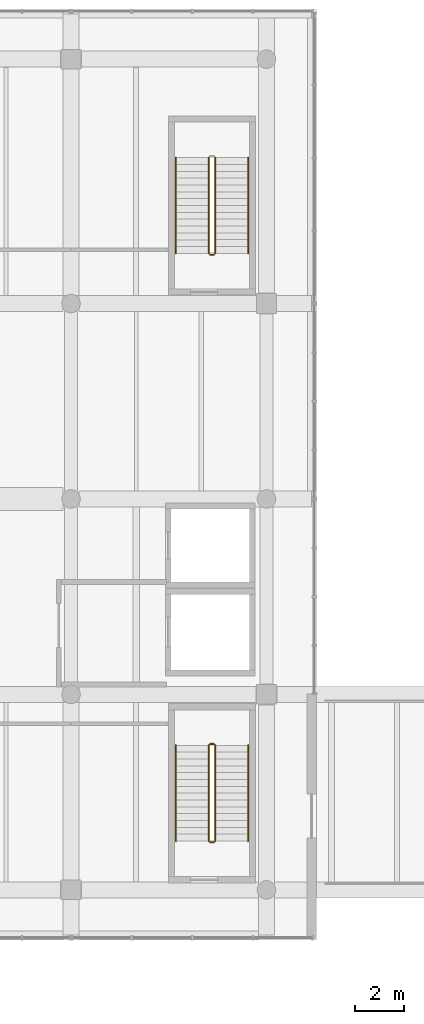
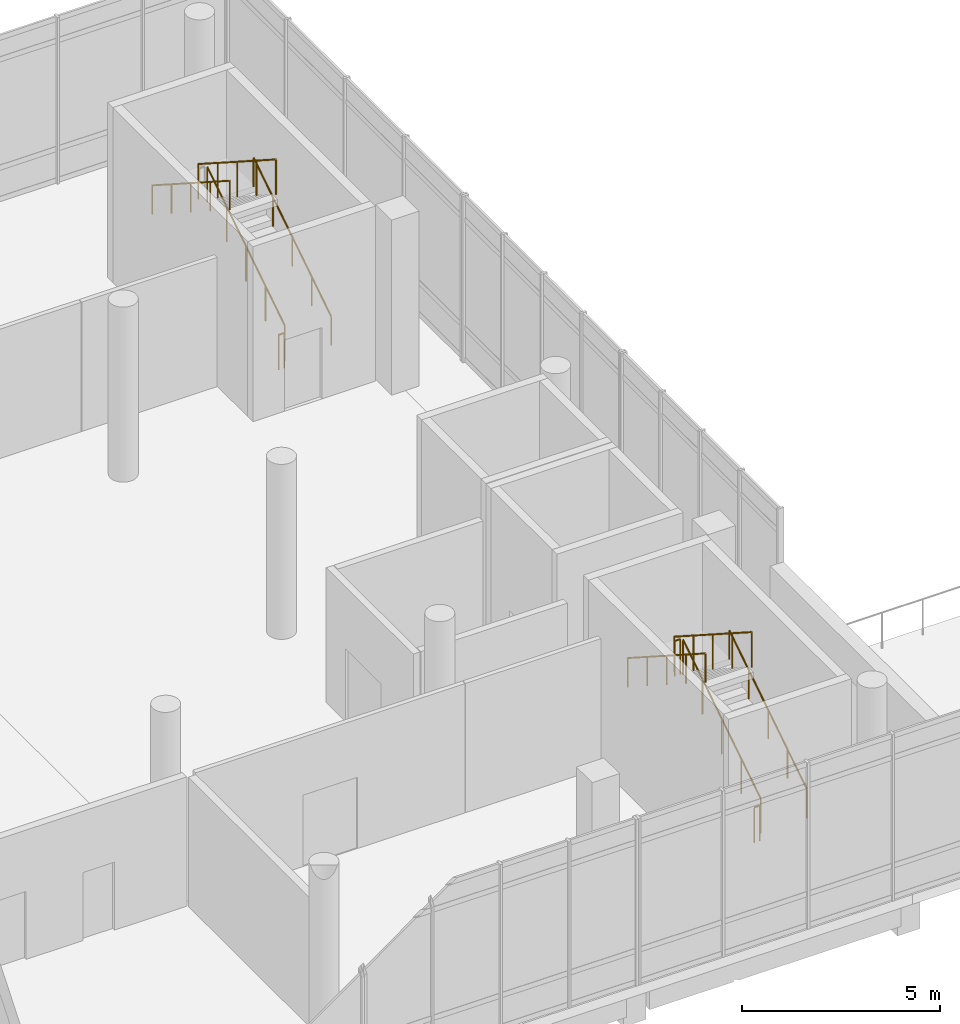
# One storey, part 18 of 20: 11 railings.
"""IFC4 building model written with IfcOpenShell, lengths in metres."""

from ifc_helpers import new_model, si_unit, direction, frame, origin, origin_2d, place, context, subcontext, project, spatial, circle, extrude, material, type_object, element, save


model = new_model("IFC4")

# Units and contexts
model_context = context("Model", 3, precision=1e-05, world=origin(), true_north=direction((0.0, 1.0)))
body_context = subcontext(model_context, "Body", "Model", "MODEL_VIEW")
ifc_project = project(units=[si_unit("LENGTHUNIT", "METRE"), si_unit("AREAUNIT", "SQUARE_METRE"), si_unit("VOLUMEUNIT", "CUBIC_METRE"), si_unit("PLANEANGLEUNIT", "RADIAN"), si_unit("MASSUNIT", "GRAM", prefix="KILO")], contexts=[model_context])

# Site, building, storey
site_placement = place(None, origin())
site = spatial("IfcSite", under=ifc_project, at=site_placement, CompositionType="ELEMENT")
building_placement = place(site_placement, origin())
building = spatial("IfcBuilding", under=site, at=building_placement, Name="Pecanmere Concourse Central Library", CompositionType="ELEMENT")
storey_placement = place(building_placement, frame((0.0, 0.0, 24.89990234375)))
storey = spatial("IfcBuildingStorey", under=building, at=storey_placement, Name="L06", CompositionType="ELEMENT", Elevation=24.89990234375)

# Railings
ifc_material_1 = material(Name="Painted architectural steel ASTM A36", Category="steel")
railing_type_1 = type_object("IfcRailingType", Name="RAIL_STAIR_GUARD", PredefinedType="GUARDRAIL", material=ifc_material_1)
railing_1_placement = place(storey_placement, frame((101.89990234375, 92.0, 0.18017578125)))
element("IfcRailing", 1, at=railing_1_placement, inside=storey, type_object=railing_type_1, Name="L06 ST-02 Guard 1", PredefinedType="GUARDRAIL", context=body_context, shape_type="SweptSolid", body=[
    extrude(circle(Radius=0.02392578125, at=origin_2d()), frame((0.0, 0.0, 1.076171875), z_axis=(0.0, 0.841171666519, 0.540768182723), x_axis=(-1.0, 0.0, 0.0)), (0.0, 0.0, 1.0), 4.66015625),
    extrude(circle(Radius=0.02099609375, at=origin_2d()), origin(), (0.0, 0.0, 1.0), 1.052001953125),
    extrude(circle(Radius=0.02099609375, at=origin_2d()), frame((0.0, 0.97998046875, 0.6298828125)), (0.0, 0.0, 1.0), 1.052001953125),
    extrude(circle(Radius=0.02099609375, at=origin_2d()), frame((0.0, 1.9599609375, 1.260009765625)), (0.0, 0.0, 1.0), 1.052001953125),
    extrude(circle(Radius=0.02099609375, at=origin_2d()), frame((0.0, 2.93994140625, 1.89013671875)), (0.0, 0.0, 1.0), 1.052001953125),
    extrude(circle(Radius=0.02099609375, at=origin_2d()), frame((0.0, 3.919921875, 2.52001953125)), (0.0, 0.0, 1.0), 1.052001953125),
])
railing_2_placement = place(storey_placement, frame((101.85009765625, 95.969970703125, 2.7001953125)))
element("IfcRailing", 2, at=railing_2_placement, inside=storey, type_object=railing_type_1, Name="L06 ST-02 Guard 2", PredefinedType="GUARDRAIL", context=body_context, shape_type="SweptSolid", body=[
    extrude(circle(Radius=0.02392578125, at=origin_2d()), frame((0.0, 0.0, 1.076171875), z_axis=(-1.0, 0.0, 0.0), x_axis=(0.0, -1.0, 0.0)), (0.0, 0.0, 1.0), 0.16015625),
    extrude(circle(Radius=0.02099609375, at=origin_2d()), origin(), (0.0, 0.0, 1.0), 1.052001953125),
    extrude(circle(Radius=0.02099609375, at=origin_2d()), frame((-0.16015625, 0.0, 0.0)), (0.0, 0.0, 1.0), 1.052001953125),
])
railing_3_placement = place(storey_placement, frame((101.639892578125, 95.919921875, 2.880126953125)))
element("IfcRailing", 3, at=railing_3_placement, inside=storey, type_object=railing_type_1, Name="L06 ST-02 Guard 3", PredefinedType="GUARDRAIL", context=body_context, shape_type="SweptSolid", body=[
    extrude(circle(Radius=0.02392578125, at=origin_2d()), frame((0.0, 0.0, 1.076171875), z_axis=(0.0, -0.841171666519, 0.540768182723), x_axis=(1.0, 0.0, 0.0)), (0.0, 0.0, 1.0), 4.66015625),
    extrude(circle(Radius=0.02099609375, at=origin_2d()), origin(), (0.0, 0.0, 1.0), 1.052001953125),
    extrude(circle(Radius=0.02099609375, at=origin_2d()), frame((0.0, -0.97998046875, 0.6298828125)), (0.0, 0.0, 1.0), 1.052001953125),
    extrude(circle(Radius=0.02099609375, at=origin_2d()), frame((0.0, -1.9599609375, 1.260009765625)), (0.0, 0.0, 1.0), 1.052001953125),
    extrude(circle(Radius=0.02099609375, at=origin_2d()), frame((0.0, -2.93994140625, 1.89013671875)), (0.0, 0.0, 1.0), 1.052001953125),
    extrude(circle(Radius=0.02099609375, at=origin_2d()), frame((0.0, -3.919921875, 2.52001953125)), (0.0, 0.0, 1.0), 1.052001953125),
])
railing_4_placement = place(storey_placement, frame((101.85009765625, 91.949951171875, 0.0)))
element("IfcRailing", 4, at=railing_4_placement, inside=storey, type_object=railing_type_1, Name="L06 ST-02 Guard 4", PredefinedType="GUARDRAIL", context=body_context, shape_type="SweptSolid", body=[
    extrude(circle(Radius=0.02392578125, at=origin_2d()), frame((0.0, 0.0, 1.076171875), z_axis=(-1.0, 0.0, 0.0), x_axis=(0.0, -1.0, 0.0)), (0.0, 0.0, 1.0), 0.16015625),
    extrude(circle(Radius=0.02099609375, at=origin_2d()), origin(), (0.0, 0.0, 1.0), 1.052001953125),
    extrude(circle(Radius=0.02099609375, at=origin_2d()), frame((-0.16015625, 0.0, 0.0)), (0.0, 0.0, 1.0), 1.052001953125),
])
railing_5_placement = place(storey_placement, frame((101.89990234375, 116.050048828125, 0.18017578125)))
element("IfcRailing", 5, at=railing_5_placement, inside=storey, type_object=railing_type_1, Name="L06 ST-04 Guard 1", PredefinedType="GUARDRAIL", context=body_context, shape_type="SweptSolid", body=[
    extrude(circle(Radius=0.02392578125, at=origin_2d()), frame((0.0, 0.0, 1.076171875), z_axis=(0.0, 0.841171666519, 0.540768182723), x_axis=(-1.0, 0.0, 0.0)), (0.0, 0.0, 1.0), 4.66015625),
    extrude(circle(Radius=0.02099609375, at=origin_2d()), origin(), (0.0, 0.0, 1.0), 1.052001953125),
    extrude(circle(Radius=0.02099609375, at=origin_2d()), frame((0.0, 0.97998046875, 0.6298828125)), (0.0, 0.0, 1.0), 1.052001953125),
    extrude(circle(Radius=0.02099609375, at=origin_2d()), frame((0.0, 1.9599609375, 1.260009765625)), (0.0, 0.0, 1.0), 1.052001953125),
    extrude(circle(Radius=0.02099609375, at=origin_2d()), frame((0.0, 2.93994140625, 1.89013671875)), (0.0, 0.0, 1.0), 1.052001953125),
    extrude(circle(Radius=0.02099609375, at=origin_2d()), frame((0.0, 3.919921875, 2.52001953125)), (0.0, 0.0, 1.0), 1.052001953125),
])
railing_6_placement = place(storey_placement, frame((101.639892578125, 119.969970703125, 2.880126953125)))
element("IfcRailing", 6, at=railing_6_placement, inside=storey, type_object=railing_type_1, Name="L06 ST-04 Guard 3", PredefinedType="GUARDRAIL", context=body_context, shape_type="SweptSolid", body=[
    extrude(circle(Radius=0.02392578125, at=origin_2d()), frame((0.0, 0.0, 1.076171875), z_axis=(0.0, -0.841171666519, 0.540768182723), x_axis=(1.0, 0.0, 0.0)), (0.0, 0.0, 1.0), 4.66015625),
    extrude(circle(Radius=0.02099609375, at=origin_2d()), origin(), (0.0, 0.0, 1.0), 1.052001953125),
    extrude(circle(Radius=0.02099609375, at=origin_2d()), frame((0.0, -0.97998046875, 0.6298828125)), (0.0, 0.0, 1.0), 1.052001953125),
    extrude(circle(Radius=0.02099609375, at=origin_2d()), frame((0.0, -1.9599609375, 1.260009765625)), (0.0, 0.0, 1.0), 1.052001953125),
    extrude(circle(Radius=0.02099609375, at=origin_2d()), frame((0.0, -2.93994140625, 1.89013671875)), (0.0, 0.0, 1.0), 1.052001953125),
    extrude(circle(Radius=0.02099609375, at=origin_2d()), frame((0.0, -3.919921875, 2.52001953125)), (0.0, 0.0, 1.0), 1.052001953125),
])
railing_7_placement = place(storey_placement, frame((101.85009765625, 116.0, 0.0)))
element("IfcRailing", 7, at=railing_7_placement, inside=storey, type_object=railing_type_1, Name="L06 ST-04 Guard 4", PredefinedType="GUARDRAIL", context=body_context, shape_type="SweptSolid", body=[
    extrude(circle(Radius=0.02392578125, at=origin_2d()), frame((0.0, 0.0, 1.076171875), z_axis=(-1.0, 0.0, 0.0), x_axis=(0.0, -1.0, 0.0)), (0.0, 0.0, 1.0), 0.16015625),
    extrude(circle(Radius=0.02099609375, at=origin_2d()), origin(), (0.0, 0.0, 1.0), 1.052001953125),
    extrude(circle(Radius=0.02099609375, at=origin_2d()), frame((-0.16015625, 0.0, 0.0)), (0.0, 0.0, 1.0), 1.052001953125),
])
ifc_material_2 = material(Name="Brushed stainless steel Grade 316", Category="steel")
railing_type_2 = type_object("IfcRailingType", Name="RAIL_STAIR_HR", PredefinedType="HANDRAIL", material=ifc_material_2)
railing_8_placement = place(storey_placement, frame((103.25, 92.0, 0.18017578125)))
element("IfcRailing", 8, at=railing_8_placement, inside=storey, type_object=railing_type_2, Name="L06 ST-02 Handrail 1", PredefinedType="HANDRAIL", context=body_context, shape_type="SweptSolid", body=[
    extrude(circle(Radius=0.02392578125, at=origin_2d()), frame((0.0, 0.0, 0.89111328125), z_axis=(0.0, 0.841171666519, 0.540768182723), x_axis=(-1.0, 0.0, 0.0)), (0.0, 0.0, 1.0), 4.66015625),
    extrude(circle(Radius=0.02099609375, at=origin_2d()), origin(), (0.0, 0.0, 1.0), 0.866943359375),
    extrude(circle(Radius=0.02099609375, at=origin_2d()), frame((0.0, 0.97998046875, 0.6298828125)), (0.0, 0.0, 1.0), 0.866943359375),
    extrude(circle(Radius=0.02099609375, at=origin_2d()), frame((0.0, 1.9599609375, 1.260009765625)), (0.0, 0.0, 1.0), 0.866943359375),
    extrude(circle(Radius=0.02099609375, at=origin_2d()), frame((0.0, 2.93994140625, 1.89013671875)), (0.0, 0.0, 1.0), 0.866943359375),
    extrude(circle(Radius=0.02099609375, at=origin_2d()), frame((0.0, 3.919921875, 2.52001953125)), (0.0, 0.0, 1.0), 0.866943359375),
])
railing_9_placement = place(storey_placement, frame((100.2900390625, 95.919921875, 2.880126953125)))
element("IfcRailing", 9, at=railing_9_placement, inside=storey, type_object=railing_type_2, Name="L06 ST-02 Handrail 2", PredefinedType="HANDRAIL", context=body_context, shape_type="SweptSolid", body=[
    extrude(circle(Radius=0.02392578125, at=origin_2d()), frame((0.0, 0.0, 0.89111328125), z_axis=(0.0, -0.841171666519, 0.540768182723), x_axis=(1.0, 0.0, 0.0)), (0.0, 0.0, 1.0), 4.66015625),
    extrude(circle(Radius=0.02099609375, at=origin_2d()), origin(), (0.0, 0.0, 1.0), 0.866943359375),
    extrude(circle(Radius=0.02099609375, at=origin_2d()), frame((0.0, -0.97998046875, 0.6298828125)), (0.0, 0.0, 1.0), 0.866943359375),
    extrude(circle(Radius=0.02099609375, at=origin_2d()), frame((0.0, -1.9599609375, 1.260009765625)), (0.0, 0.0, 1.0), 0.866943359375),
    extrude(circle(Radius=0.02099609375, at=origin_2d()), frame((0.0, -2.93994140625, 1.89013671875)), (0.0, 0.0, 1.0), 0.866943359375),
    extrude(circle(Radius=0.02099609375, at=origin_2d()), frame((0.0, -3.919921875, 2.52001953125)), (0.0, 0.0, 1.0), 0.866943359375),
])
railing_10_placement = place(storey_placement, frame((103.25, 116.050048828125, 0.18017578125)))
element("IfcRailing", 10, at=railing_10_placement, inside=storey, type_object=railing_type_2, Name="L06 ST-04 Handrail 1", PredefinedType="HANDRAIL", context=body_context, shape_type="SweptSolid", body=[
    extrude(circle(Radius=0.02392578125, at=origin_2d()), frame((0.0, 0.0, 0.89111328125), z_axis=(0.0, 0.841171666519, 0.540768182723), x_axis=(-1.0, 0.0, 0.0)), (0.0, 0.0, 1.0), 4.66015625),
    extrude(circle(Radius=0.02099609375, at=origin_2d()), origin(), (0.0, 0.0, 1.0), 0.866943359375),
    extrude(circle(Radius=0.02099609375, at=origin_2d()), frame((0.0, 0.97998046875, 0.6298828125)), (0.0, 0.0, 1.0), 0.866943359375),
    extrude(circle(Radius=0.02099609375, at=origin_2d()), frame((0.0, 1.9599609375, 1.260009765625)), (0.0, 0.0, 1.0), 0.866943359375),
    extrude(circle(Radius=0.02099609375, at=origin_2d()), frame((0.0, 2.93994140625, 1.89013671875)), (0.0, 0.0, 1.0), 0.866943359375),
    extrude(circle(Radius=0.02099609375, at=origin_2d()), frame((0.0, 3.919921875, 2.52001953125)), (0.0, 0.0, 1.0), 0.866943359375),
])
railing_11_placement = place(storey_placement, frame((100.2900390625, 119.969970703125, 2.880126953125)))
element("IfcRailing", 11, at=railing_11_placement, inside=storey, type_object=railing_type_2, Name="L06 ST-04 Handrail 2", PredefinedType="HANDRAIL", context=body_context, shape_type="SweptSolid", body=[
    extrude(circle(Radius=0.02392578125, at=origin_2d()), frame((0.0, 0.0, 0.89111328125), z_axis=(0.0, -0.841171666519, 0.540768182723), x_axis=(1.0, 0.0, 0.0)), (0.0, 0.0, 1.0), 4.66015625),
    extrude(circle(Radius=0.02099609375, at=origin_2d()), origin(), (0.0, 0.0, 1.0), 0.866943359375),
    extrude(circle(Radius=0.02099609375, at=origin_2d()), frame((0.0, -0.97998046875, 0.6298828125)), (0.0, 0.0, 1.0), 0.866943359375),
    extrude(circle(Radius=0.02099609375, at=origin_2d()), frame((0.0, -1.9599609375, 1.260009765625)), (0.0, 0.0, 1.0), 0.866943359375),
    extrude(circle(Radius=0.02099609375, at=origin_2d()), frame((0.0, -2.93994140625, 1.89013671875)), (0.0, 0.0, 1.0), 0.866943359375),
    extrude(circle(Radius=0.02099609375, at=origin_2d()), frame((0.0, -3.919921875, 2.52001953125)), (0.0, 0.0, 1.0), 0.866943359375),
])

save(model, "model.ifc")
